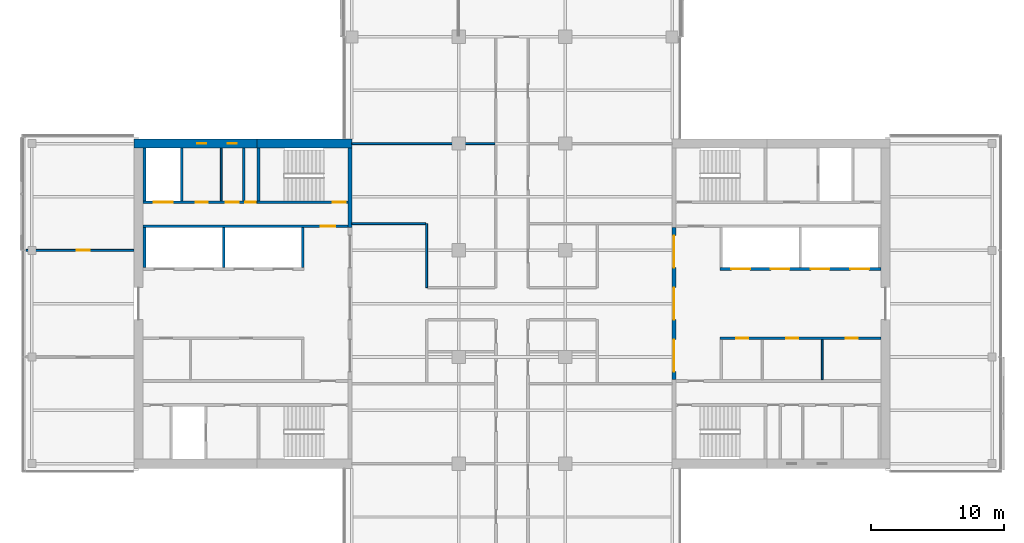
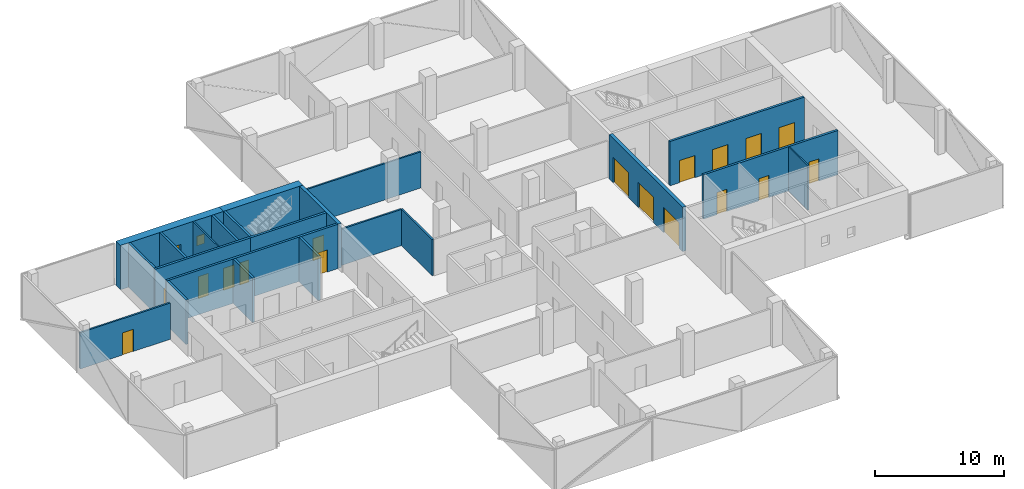
# One storey, part 15 of 22: 22 walls, 17 doors, 2 windows, 19 openings.
"""IFC4 building model written with IfcOpenShell, lengths in metres."""

from ifc_helpers import new_model, si_unit, direction, frame, frame_2d, origin, place, context, subcontext, project, spatial, rectangle, extrude, material, layer, layer_set, constituent, constituent_set, type_object, element, fill, save


model = new_model("IFC4")

# Units and contexts
model_context = context("Model", 3, precision=1e-05, world=origin(), true_north=direction((0.0, 1.0)))
body_context = subcontext(model_context, "Body", "Model", "MODEL_VIEW")
ifc_project = project(units=[si_unit("LENGTHUNIT", "METRE"), si_unit("AREAUNIT", "SQUARE_METRE"), si_unit("VOLUMEUNIT", "CUBIC_METRE"), si_unit("PLANEANGLEUNIT", "RADIAN"), si_unit("MASSUNIT", "GRAM", prefix="KILO")], contexts=[model_context])

# Site, building, storey
site_placement = place(None, origin())
site = spatial("IfcSite", under=ifc_project, at=site_placement, CompositionType="ELEMENT")
building_placement = place(site_placement, origin())
building = spatial("IfcBuilding", under=site, at=building_placement, Name="Crosswind Convention Tower", CompositionType="ELEMENT")
storey_placement = place(building_placement, frame((0.0, 0.0, 154.699951171875)))
storey = spatial("IfcBuildingStorey", under=building, at=storey_placement, Name="L32", CompositionType="ELEMENT", Elevation=154.699951171875)

# Wall
ifc_material_1 = material(Name="Concrete blockwork", Category="masonry")
ifc_layer_1 = layer(ifc_material_1, 0.199951171875)
ifc_layer_set_1 = layer_set([ifc_layer_1], Name="Blockwork partition wall 200")
wall_type_1 = type_object("IfcWallType", Name="Blockwork partition wall 200", PredefinedType="PARTITIONING", material=ifc_layer_set_1)
wall_1_placement = place(storey_placement, frame((104.89990234375, 111.64990234375, 0.0), z_axis=(0.0, 0.0, 1.0), x_axis=(0.0, -1.0, 0.0)))
element("IfcWall", 1, at=wall_1_placement, inside=storey, type_object=wall_type_1, Name="Wall MRSE W L32", PredefinedType="PARTITIONING", context=body_context, shape_type="SweptSolid", body=[
    extrude(rectangle(XDim=3.949951171875, YDim=0.199951171875, at=frame_2d((1.97509765625, 0.0))), origin(), (0.0, 0.0, 1.0), 4.199951171875),
])

# Wall, openings, doors
ifc_material_2 = material(Name="Concrete C50/60", Category="concrete")
ifc_layer_2 = layer(ifc_material_2, 0.300048828125)
ifc_layer_set_2 = layer_set([ifc_layer_2], Name="Concrete C50/60")
wall_type_2 = type_object("IfcWallType", Name="Concrete inner core wall 300", PredefinedType="SHEAR", material=ifc_layer_set_2)
wall_2_placement = place(storey_placement, frame((137.14990234375, 94.300048828125, 0.0), z_axis=(0.0, 0.0, 1.0), x_axis=(0.0, 1.0, 0.0)))
wall_2 = element("IfcWall", 2, at=wall_2_placement, inside=storey, type_object=wall_type_2, Name="Wall SCR E L32", PredefinedType="SHEAR", context=body_context, shape_type="SweptSolid", body=[
    extrude(rectangle(XDim=11.39990234375, YDim=0.300048828125, at=frame_2d((5.699951171875, 0.0))), origin(), (0.0, 0.0, 1.0), 4.199951171875),
])
opening_1_placement = place(wall_2_placement, frame((0.60009765625, 0.0, 0.0)))
opening_1 = element("IfcOpeningElement", 3, at=opening_1_placement, cuts=wall_2, Name="Opening D100", PredefinedType="OPENING", context=body_context, shape_type="SweptSolid", body=[
    extrude(rectangle(XDim=2.39990234375, YDim=2.39990234375, at=frame_2d((1.199951171875, 1.199951171875))), frame((0.0, 0.159912109375, 0.0), z_axis=(0.0, -1.0, 0.0), x_axis=(1.0, 0.0, 0.0)), (0.0, 0.0, 1.0), 0.320068359375),
])
opening_2_placement = place(wall_2_placement, frame((4.5, 0.0, 0.0)))
opening_2 = element("IfcOpeningElement", 4, at=opening_2_placement, cuts=wall_2, Name="Opening D100", PredefinedType="OPENING", context=body_context, shape_type="SweptSolid", body=[
    extrude(rectangle(XDim=2.39990234375, YDim=2.39990234375, at=frame_2d((1.199951171875, 1.199951171875))), frame((0.0, 0.159912109375, 0.0), z_axis=(0.0, -1.0, 0.0), x_axis=(1.0, 0.0, 0.0)), (0.0, 0.0, 1.0), 0.320068359375),
])
opening_3_placement = place(wall_2_placement, frame((8.39990234375, 0.0, 0.0)))
opening_3 = element("IfcOpeningElement", 5, at=opening_3_placement, cuts=wall_2, Name="Opening D100", PredefinedType="OPENING", context=body_context, shape_type="SweptSolid", body=[
    extrude(rectangle(XDim=2.39990234375, YDim=2.39990234375, at=frame_2d((1.199951171875, 1.199951171875))), frame((0.0, 0.159912109375, 0.0), z_axis=(0.0, -1.0, 0.0), x_axis=(1.0, 0.0, 0.0)), (0.0, 0.0, 1.0), 0.320068359375),
])
ifc_material_3 = material(Name="Steel fire door with glazed vision panels", Category="steel")
door_type_1 = type_object("IfcDoorType", Name="Fire-rated double door 2400x2400", OperationType="DOUBLE_DOOR_SINGLE_SWING", PredefinedType="DOOR", material=ifc_material_3)
door_1_placement = place(opening_1_placement, origin())
door_1 = element("IfcDoor", 6, at=door_1_placement, inside=storey, type_object=door_type_1, Name="Lobby door 1 L32", ObjectType="D100", OperationType="DOUBLE_DOOR_SINGLE_SWING", OverallHeight=2.39990234375, OverallWidth=2.39990234375, PredefinedType="DOOR", context=body_context, shape_type="SweptSolid", body=[
    extrude(rectangle(XDim=2.39990234375, YDim=2.39990234375, at=frame_2d((1.199951171875, 1.199951171875))), frame((0.0, 0.02490234375, 0.0), z_axis=(0.0, -1.0, 0.0), x_axis=(1.0, 0.0, 0.0)), (0.0, 0.0, 1.0), 0.050048828125),
])
fill(opening_1, door_1)
door_2_placement = place(opening_2_placement, origin())
door_2 = element("IfcDoor", 7, at=door_2_placement, inside=storey, type_object=door_type_1, Name="Lobby door 2 L32", ObjectType="D100", OperationType="DOUBLE_DOOR_SINGLE_SWING", OverallHeight=2.39990234375, OverallWidth=2.39990234375, PredefinedType="DOOR", context=body_context, shape_type="SweptSolid", body=[
    extrude(rectangle(XDim=2.39990234375, YDim=2.39990234375, at=frame_2d((1.199951171875, 1.199951171875))), frame((0.0, 0.02490234375, 0.0), z_axis=(0.0, -1.0, 0.0), x_axis=(1.0, 0.0, 0.0)), (0.0, 0.0, 1.0), 0.050048828125),
])
fill(opening_2, door_2)
door_3_placement = place(opening_3_placement, origin())
door_3 = element("IfcDoor", 8, at=door_3_placement, inside=storey, type_object=door_type_1, Name="Lobby door 3 L32", ObjectType="D100", OperationType="DOUBLE_DOOR_SINGLE_SWING", OverallHeight=2.39990234375, OverallWidth=2.39990234375, PredefinedType="DOOR", context=body_context, shape_type="SweptSolid", body=[
    extrude(rectangle(XDim=2.39990234375, YDim=2.39990234375, at=frame_2d((1.199951171875, 1.199951171875))), frame((0.0, 0.02490234375, 0.0), z_axis=(0.0, -1.0, 0.0), x_axis=(1.0, 0.0, 0.0)), (0.0, 0.0, 1.0), 0.050048828125),
])
fill(opening_3, door_3)

# Wall
wall_3_placement = place(storey_placement, frame((112.85009765625, 111.64990234375, 0.0), z_axis=(0.0, 0.0, 1.0), x_axis=(0.0, -1.0, 0.0)))
element("IfcWall", 9, at=wall_3_placement, inside=storey, type_object=wall_type_2, Name="Wall EM W L32", PredefinedType="SHEAR", context=body_context, shape_type="SweptSolid", body=[
    extrude(rectangle(XDim=5.949951171875, YDim=0.300048828125, at=frame_2d((2.97509765625, 0.0))), origin(), (0.0, 0.0, 1.0), 4.199951171875),
])

# Wall, openings, doors
ifc_layer_3 = layer(ifc_material_2, 0.199951171875)
ifc_layer_set_3 = layer_set([ifc_layer_3], Name="Concrete C50/60")
wall_type_3 = type_object("IfcWallType", Name="Concrete shaft and stair wall 200", PredefinedType="SHEAR", material=ifc_layer_set_3)
wall_4_placement = place(storey_placement, frame((140.60009765625, 102.60009765625, 0.0), z_axis=(0.0, 0.0, 1.0), x_axis=(1.0, 0.0, 0.0)))
wall_4 = element("IfcWall", 10, at=wall_4_placement, inside=storey, type_object=wall_type_3, Name="Wall RPFRONT E L32", PredefinedType="SHEAR", context=body_context, shape_type="SweptSolid", body=[
    extrude(rectangle(XDim=12.0498046875, YDim=0.199951171875, at=frame_2d((6.02490234375, 0.0))), origin(), (0.0, 0.0, 1.0), 4.199951171875),
])
opening_4_placement = place(wall_4_placement, frame((0.85009765625, 0.0, 0.0)))
opening_4 = element("IfcOpeningElement", 11, at=opening_4_placement, cuts=wall_4, Name="Opening LD2", PredefinedType="OPENING", context=body_context, shape_type="SweptSolid", body=[
    extrude(rectangle(XDim=1.39990234375, YDim=2.10009765625, at=frame_2d((0.699951171875, 1.050048828125))), frame((0.0, 0.10986328125, 0.0), z_axis=(0.0, -1.0, 0.0), x_axis=(1.0, 0.0, 0.0)), (0.0, 0.0, 1.0), 0.219970703125),
])
opening_5_placement = place(wall_4_placement, frame((3.800048828125, 0.0, 0.0)))
opening_5 = element("IfcOpeningElement", 12, at=opening_5_placement, cuts=wall_4, Name="Opening LD2", PredefinedType="OPENING", context=body_context, shape_type="SweptSolid", body=[
    extrude(rectangle(XDim=1.39990234375, YDim=2.10009765625, at=frame_2d((0.699951171875, 1.050048828125))), frame((0.0, 0.10986328125, 0.0), z_axis=(0.0, -1.0, 0.0), x_axis=(1.0, 0.0, 0.0)), (0.0, 0.0, 1.0), 0.219970703125),
])
opening_6_placement = place(wall_4_placement, frame((6.800048828125, 0.0, 0.0)))
opening_6 = element("IfcOpeningElement", 13, at=opening_6_placement, cuts=wall_4, Name="Opening LD2", PredefinedType="OPENING", context=body_context, shape_type="SweptSolid", body=[
    extrude(rectangle(XDim=1.39990234375, YDim=2.10009765625, at=frame_2d((0.699951171875, 1.050048828125))), frame((0.0, 0.10986328125, 0.0), z_axis=(0.0, -1.0, 0.0), x_axis=(1.0, 0.0, 0.0)), (0.0, 0.0, 1.0), 0.219970703125),
])
opening_7_placement = place(wall_4_placement, frame((9.77490234375, 0.0, 0.0)))
opening_7 = element("IfcOpeningElement", 14, at=opening_7_placement, cuts=wall_4, Name="Opening LD2", PredefinedType="OPENING", context=body_context, shape_type="SweptSolid", body=[
    extrude(rectangle(XDim=1.39990234375, YDim=2.10009765625, at=frame_2d((0.699951171875, 1.050048828125))), frame((0.0, 0.10986328125, 0.0), z_axis=(0.0, -1.0, 0.0), x_axis=(1.0, 0.0, 0.0)), (0.0, 0.0, 1.0), 0.219970703125),
])
ifc_material_4 = material(Name="Stainless steel", Category="steel")
door_type_2 = type_object("IfcDoorType", Name="Lift landing door 1400x2100", OperationType="DOUBLE_DOOR_SLIDING", PredefinedType="DOOR", material=ifc_material_4)
door_4_placement = place(opening_4_placement, origin())
door_4 = element("IfcDoor", 15, at=door_4_placement, inside=storey, type_object=door_type_2, Name="Landing door A1 L32", ObjectType="LD2", OperationType="DOUBLE_DOOR_SLIDING", OverallHeight=2.10009765625, OverallWidth=1.39990234375, PredefinedType="DOOR", context=body_context, shape_type="SweptSolid", body=[
    extrude(rectangle(XDim=1.39990234375, YDim=2.10009765625, at=frame_2d((0.699951171875, 1.050048828125))), frame((0.0, 0.02490234375, 0.0), z_axis=(0.0, -1.0, 0.0), x_axis=(1.0, 0.0, 0.0)), (0.0, 0.0, 1.0), 0.050048828125),
])
fill(opening_4, door_4)
door_5_placement = place(opening_5_placement, origin())
door_5 = element("IfcDoor", 16, at=door_5_placement, inside=storey, type_object=door_type_2, Name="Landing door A2 L32", ObjectType="LD2", OperationType="DOUBLE_DOOR_SLIDING", OverallHeight=2.10009765625, OverallWidth=1.39990234375, PredefinedType="DOOR", context=body_context, shape_type="SweptSolid", body=[
    extrude(rectangle(XDim=1.39990234375, YDim=2.10009765625, at=frame_2d((0.699951171875, 1.050048828125))), frame((0.0, 0.02490234375, 0.0), z_axis=(0.0, -1.0, 0.0), x_axis=(1.0, 0.0, 0.0)), (0.0, 0.0, 1.0), 0.050048828125),
])
fill(opening_5, door_5)
door_6_placement = place(opening_6_placement, origin())
door_6 = element("IfcDoor", 17, at=door_6_placement, inside=storey, type_object=door_type_2, Name="Landing door A3 L32", ObjectType="LD2", OperationType="DOUBLE_DOOR_SLIDING", OverallHeight=2.10009765625, OverallWidth=1.39990234375, PredefinedType="DOOR", context=body_context, shape_type="SweptSolid", body=[
    extrude(rectangle(XDim=1.39990234375, YDim=2.10009765625, at=frame_2d((0.699951171875, 1.050048828125))), frame((0.0, 0.02490234375, 0.0), z_axis=(0.0, -1.0, 0.0), x_axis=(1.0, 0.0, 0.0)), (0.0, 0.0, 1.0), 0.050048828125),
])
fill(opening_6, door_6)
door_7_placement = place(opening_7_placement, origin())
door_7 = element("IfcDoor", 18, at=door_7_placement, inside=storey, type_object=door_type_2, Name="Landing door A4 L32", ObjectType="LD2", OperationType="DOUBLE_DOOR_SLIDING", OverallHeight=2.10009765625, OverallWidth=1.39990234375, PredefinedType="DOOR", context=body_context, shape_type="SweptSolid", body=[
    extrude(rectangle(XDim=1.39990234375, YDim=2.10009765625, at=frame_2d((0.699951171875, 1.050048828125))), frame((0.0, 0.02490234375, 0.0), z_axis=(0.0, -1.0, 0.0), x_axis=(1.0, 0.0, 0.0)), (0.0, 0.0, 1.0), 0.050048828125),
])
fill(opening_7, door_7)

wall_5_placement = place(storey_placement, frame((140.60009765625, 97.39990234375, 0.0), z_axis=(0.0, 0.0, 1.0), x_axis=(1.0, 0.0, 0.0)))
wall_5 = element("IfcWall", 19, at=wall_5_placement, inside=storey, type_object=wall_type_3, Name="Wall RMFRONT E L32", PredefinedType="SHEAR", context=body_context, shape_type="SweptSolid", body=[
    extrude(rectangle(XDim=12.0498046875, YDim=0.199951171875, at=frame_2d((6.02490234375, 0.0))), origin(), (0.0, 0.0, 1.0), 4.199951171875),
])
opening_8_placement = place(wall_5_placement, frame((1.199951171875, 0.0, 0.0)))
opening_8 = element("IfcOpeningElement", 20, at=opening_8_placement, cuts=wall_5, Name="Opening D106", PredefinedType="OPENING", context=body_context, shape_type="SweptSolid", body=[
    extrude(rectangle(XDim=0.89990234375, YDim=2.10009765625, at=frame_2d((0.449951171875, 1.050048828125))), frame((0.0, 0.10986328125, 0.0), z_axis=(0.0, -1.0, 0.0), x_axis=(1.0, 0.0, 0.0)), (0.0, 0.0, 1.0), 0.219970703125),
])
opening_9_placement = place(wall_5_placement, frame((4.964111328125, 0.0, 0.0)))
opening_9 = element("IfcOpeningElement", 21, at=opening_9_placement, cuts=wall_5, Name="Opening D106", PredefinedType="OPENING", context=body_context, shape_type="SweptSolid", body=[
    extrude(rectangle(XDim=0.89990234375, YDim=2.10009765625, at=frame_2d((0.449951171875, 1.050048828125))), frame((0.0, 0.10986328125, 0.0), z_axis=(0.0, -1.0, 0.0), x_axis=(1.0, 0.0, 0.0)), (0.0, 0.0, 1.0), 0.219970703125),
])
opening_10_placement = place(wall_5_placement, frame((9.43896484375, 0.0, 0.0)))
opening_10 = element("IfcOpeningElement", 22, at=opening_10_placement, cuts=wall_5, Name="Opening D106", PredefinedType="OPENING", context=body_context, shape_type="SweptSolid", body=[
    extrude(rectangle(XDim=0.89990234375, YDim=2.10009765625, at=frame_2d((0.449951171875, 1.050048828125))), frame((0.0, 0.10986328125, 0.0), z_axis=(0.0, -1.0, 0.0), x_axis=(1.0, 0.0, 0.0)), (0.0, 0.0, 1.0), 0.219970703125),
])
ifc_material_5 = material(Name="Timber door", Category="wood")
door_type_3 = type_object("IfcDoorType", Name="Single leaf door 900x2100", OperationType="NOTDEFINED", PredefinedType="DOOR", material=ifc_material_5)
door_8_placement = place(opening_8_placement, frame((0.89990234375, 0.0, 0.0), z_axis=(0.0, 0.0, 1.0), x_axis=(-1.0, 0.0, 0.0)))
door_8 = element("IfcDoor", 23, at=door_8_placement, inside=storey, type_object=door_type_3, Name="Door to copy and print room L32", ObjectType="D106", OperationType="SINGLE_SWING_LEFT", OverallHeight=2.10009765625, OverallWidth=0.89990234375, PredefinedType="DOOR", context=body_context, shape_type="SweptSolid", body=[
    extrude(rectangle(XDim=0.89990234375, YDim=2.10009765625, at=frame_2d((0.449951171875, 1.050048828125))), frame((0.0, 0.02490234375, 0.0), z_axis=(0.0, -1.0, 0.0), x_axis=(1.0, 0.0, 0.0)), (0.0, 0.0, 1.0), 0.050048828125),
])
fill(opening_8, door_8)
door_9_placement = place(opening_9_placement, frame((0.89990234375, 0.0, 0.0), z_axis=(0.0, 0.0, 1.0), x_axis=(-1.0, 0.0, 0.0)))
door_9 = element("IfcDoor", 24, at=door_9_placement, inside=storey, type_object=door_type_3, Name="Door to meeting room L32", ObjectType="D106", OperationType="SINGLE_SWING_LEFT", OverallHeight=2.10009765625, OverallWidth=0.89990234375, PredefinedType="DOOR", context=body_context, shape_type="SweptSolid", body=[
    extrude(rectangle(XDim=0.89990234375, YDim=2.10009765625, at=frame_2d((0.449951171875, 1.050048828125))), frame((0.0, 0.02490234375, 0.0), z_axis=(0.0, -1.0, 0.0), x_axis=(1.0, 0.0, 0.0)), (0.0, 0.0, 1.0), 0.050048828125),
])
fill(opening_9, door_9)
door_10_placement = place(opening_10_placement, frame((0.89990234375, 0.0, 0.0), z_axis=(0.0, 0.0, 1.0), x_axis=(-1.0, 0.0, 0.0)))
door_10 = element("IfcDoor", 25, at=door_10_placement, inside=storey, type_object=door_type_3, Name="Door to pantry L32", ObjectType="D106", OperationType="SINGLE_SWING_LEFT", OverallHeight=2.10009765625, OverallWidth=0.89990234375, PredefinedType="DOOR", context=body_context, shape_type="SweptSolid", body=[
    extrude(rectangle(XDim=0.89990234375, YDim=2.10009765625, at=frame_2d((0.449951171875, 1.050048828125))), frame((0.0, 0.02490234375, 0.0), z_axis=(0.0, -1.0, 0.0), x_axis=(1.0, 0.0, 0.0)), (0.0, 0.0, 1.0), 0.050048828125),
])
fill(opening_10, door_10)

# Walls
for number, where, z_axis, x_axis, name in (
    (26, (109.300048828125, 105.699951171875, 0.0), (0.0, 0.0, 1.0), (0.0, -1.0, 0.0), "Wall RMEND W L32"),
    (27, (103.39990234375, 105.699951171875, 0.0), (0.0, 0.0, 1.0), (0.0, -1.0, 0.0), "Wall RMSEP W L32"),
    (28, (97.449951171875, 105.699951171875, 0.0), (0.0, 0.0, 1.0), (0.0, -1.0, 0.0), "Wall RMEAST W L32"),
):
    element("IfcWall", number, at=place(storey_placement, frame(where, z_axis=z_axis, x_axis=x_axis)), inside=storey, type_object=wall_type_3, Name=name, PredefinedType="SHEAR", context=body_context, shape_type="SweptSolid", body=[
        extrude(rectangle(XDim=3.0, YDim=0.199951171875, at=frame_2d((1.5, 0.0))), origin(), (0.0, 0.0, 1.0), 4.199951171875),
    ])

# Wall, opening, door
wall_6_placement = place(storey_placement, frame((112.699951171875, 105.800048828125, 0.0), z_axis=(0.0, 0.0, 1.0), x_axis=(-1.0, 0.0, 0.0)))
wall_6 = element("IfcWall", 29, at=wall_6_placement, inside=storey, type_object=wall_type_3, Name="Wall HM W L32", PredefinedType="SHEAR", context=body_context, shape_type="SweptSolid", body=[
    extrude(rectangle(XDim=15.349853515625, YDim=0.199951171875, at=frame_2d((7.6748046875, 0.0))), origin(), (0.0, 0.0, 1.0), 4.199951171875),
])
opening_11_placement = place(wall_6_placement, frame((0.949951171875, 0.0, 0.0)))
opening_11 = element("IfcOpeningElement", 30, at=opening_11_placement, cuts=wall_6, Name="Opening D104", PredefinedType="OPENING", context=body_context, shape_type="SweptSolid", body=[
    extrude(rectangle(XDim=1.10009765625, YDim=2.10009765625, at=frame_2d((0.550048828125, 1.050048828125))), frame((0.0, 0.10986328125, 0.0), z_axis=(0.0, -1.0, 0.0), x_axis=(1.0, 0.0, 0.0)), (0.0, 0.0, 1.0), 0.219970703125),
])
ifc_material_6 = material(Name="Steel fire door", Category="steel")
door_type_4 = type_object("IfcDoorType", Name="Fire-rated single door 1100x2100", OperationType="NOTDEFINED", PredefinedType="DOOR", material=ifc_material_6)
door_11_placement = place(opening_11_placement, origin())
door_11 = element("IfcDoor", 31, at=door_11_placement, inside=storey, type_object=door_type_4, Name="Corridor door L32", ObjectType="D104", OperationType="SINGLE_SWING_LEFT", OverallHeight=2.10009765625, OverallWidth=1.10009765625, PredefinedType="DOOR", context=body_context, shape_type="SweptSolid", body=[
    extrude(rectangle(XDim=1.10009765625, YDim=2.10009765625, at=frame_2d((0.550048828125, 1.050048828125))), frame((0.0, 0.02490234375, 0.0), z_axis=(0.0, -1.0, 0.0), x_axis=(1.0, 0.0, 0.0)), (0.0, 0.0, 1.0), 0.050048828125),
])
fill(opening_11, door_11)

# Walls
for number, where, z_axis, x_axis, name in (
    (32, (106.0, 111.64990234375, 0.0), (0.0, 0.0, 1.0), (0.0, -1.0, 0.0), "Wall MSE W L32"),
    (33, (100.25, 111.64990234375, 0.0), (0.0, 0.0, 1.0), (0.0, -1.0, 0.0), "Wall MFSW W L32"),
    (34, (97.449951171875, 111.64990234375, 0.0), (0.0, 0.0, 1.0), (0.0, -1.0, 0.0), "Wall MFSE W L32"),
):
    element("IfcWall", number, at=place(storey_placement, frame(where, z_axis=z_axis, x_axis=x_axis)), inside=storey, type_object=wall_type_3, Name=name, PredefinedType="SHEAR", context=body_context, shape_type="SweptSolid", body=[
        extrude(rectangle(XDim=3.949951171875, YDim=0.199951171875, at=frame_2d((1.97509765625, 0.0))), origin(), (0.0, 0.0, 1.0), 4.199951171875),
    ])

# Wall, opening, door
wall_7_placement = place(storey_placement, frame((112.699951171875, 107.60009765625, 0.0), z_axis=(0.0, 0.0, 1.0), x_axis=(-1.0, 0.0, 0.0)))
wall_7 = element("IfcWall", 35, at=wall_7_placement, inside=storey, type_object=wall_type_3, Name="Wall MCW W L32", PredefinedType="SHEAR", context=body_context, shape_type="SweptSolid", body=[
    extrude(rectangle(XDim=6.800048828125, YDim=0.199951171875, at=frame_2d((3.39990234375, 0.0))), origin(), (0.0, 0.0, 1.0), 4.199951171875),
])
opening_12_placement = place(wall_7_placement, frame((0.14990234375, 0.0, 0.0)))
opening_12 = element("IfcOpeningElement", 36, at=opening_12_placement, cuts=wall_7, Name="Opening D103", PredefinedType="OPENING", context=body_context, shape_type="SweptSolid", body=[
    extrude(rectangle(XDim=1.0, YDim=2.10009765625, at=frame_2d((0.5, 1.050048828125))), frame((0.0, 0.10986328125, 0.0), z_axis=(0.0, -1.0, 0.0), x_axis=(1.0, 0.0, 0.0)), (0.0, 0.0, 1.0), 0.219970703125),
])
door_type_5 = type_object("IfcDoorType", Name="Fire-rated single door 1000x2100", OperationType="NOTDEFINED", PredefinedType="DOOR", material=ifc_material_6)
door_12_placement = place(opening_12_placement, frame((1.0, 0.0, 0.0), z_axis=(0.0, 0.0, 1.0), x_axis=(-1.0, 0.0, 0.0)))
door_12 = element("IfcDoor", 37, at=door_12_placement, inside=storey, type_object=door_type_5, Name="Stair ST4 door L32", ObjectType="D103", OperationType="SINGLE_SWING_RIGHT", OverallHeight=2.10009765625, OverallWidth=1.0, PredefinedType="DOOR", context=body_context, shape_type="SweptSolid", body=[
    extrude(rectangle(XDim=1.0, YDim=2.10009765625, at=frame_2d((0.5, 1.050048828125))), frame((0.0, 0.02490234375, 0.0), z_axis=(0.0, -1.0, 0.0), x_axis=(1.0, 0.0, 0.0)), (0.0, 0.0, 1.0), 0.050048828125),
])
fill(opening_12, door_12)

# Wall, openings, doors
wall_8_placement = place(storey_placement, frame((105.89990234375, 107.60009765625, 0.0), z_axis=(0.0, 0.0, 1.0), x_axis=(-1.0, 0.0, 0.0)))
wall_8 = element("IfcWall", 38, at=wall_8_placement, inside=storey, type_object=wall_type_3, Name="Wall MCX W L32", PredefinedType="SHEAR", context=body_context, shape_type="SweptSolid", body=[
    extrude(rectangle(XDim=8.5498046875, YDim=0.199951171875, at=frame_2d((4.27490234375, 0.0))), origin(), (0.0, 0.0, 1.0), 4.199951171875),
])
opening_13_placement = place(wall_8_placement, frame((0.10009765625, 0.0, 0.0)))
opening_13 = element("IfcOpeningElement", 39, at=opening_13_placement, cuts=wall_8, Name="Opening D105", PredefinedType="OPENING", context=body_context, shape_type="SweptSolid", body=[
    extrude(rectangle(XDim=0.800048828125, YDim=2.10009765625, at=frame_2d((0.39990234375, 1.050048828125))), frame((0.0, 0.10986328125, 0.0), z_axis=(0.0, -1.0, 0.0), x_axis=(1.0, 0.0, 0.0)), (0.0, 0.0, 1.0), 0.219970703125),
])
opening_14_placement = place(wall_8_placement, frame((1.36962890625, 0.0, 0.0)))
opening_14 = element("IfcOpeningElement", 40, at=opening_14_placement, cuts=wall_8, Name="Opening D103", PredefinedType="OPENING", context=body_context, shape_type="SweptSolid", body=[
    extrude(rectangle(XDim=1.0, YDim=2.10009765625, at=frame_2d((0.5, 1.050048828125))), frame((0.0, 0.10986328125, 0.0), z_axis=(0.0, -1.0, 0.0), x_axis=(1.0, 0.0, 0.0)), (0.0, 0.0, 1.0), 0.219970703125),
])
opening_15_placement = place(wall_8_placement, frame((3.707275390625, 0.0, 0.0)))
opening_15 = element("IfcOpeningElement", 41, at=opening_15_placement, cuts=wall_8, Name="Opening D106", PredefinedType="OPENING", context=body_context, shape_type="SweptSolid", body=[
    extrude(rectangle(XDim=0.89990234375, YDim=2.10009765625, at=frame_2d((0.449951171875, 1.050048828125))), frame((0.0, 0.10986328125, 0.0), z_axis=(0.0, -1.0, 0.0), x_axis=(1.0, 0.0, 0.0)), (0.0, 0.0, 1.0), 0.219970703125),
])
opening_16_placement = place(wall_8_placement, frame((6.35009765625, 0.0, 0.0)))
opening_16 = element("IfcOpeningElement", 42, at=opening_16_placement, cuts=wall_8, Name="Opening LD2", PredefinedType="OPENING", context=body_context, shape_type="SweptSolid", body=[
    extrude(rectangle(XDim=1.39990234375, YDim=2.10009765625, at=frame_2d((0.699951171875, 1.050048828125))), frame((0.0, 0.10986328125, 0.0), z_axis=(0.0, -1.0, 0.0), x_axis=(1.0, 0.0, 0.0)), (0.0, 0.0, 1.0), 0.219970703125),
])
door_13_placement = place(opening_14_placement, frame((1.0, 0.0, 0.0), z_axis=(0.0, 0.0, 1.0), x_axis=(-1.0, 0.0, 0.0)))
door_13 = element("IfcDoor", 43, at=door_13_placement, inside=storey, type_object=door_type_5, Name="Door to accessible wc L32", ObjectType="D103", OperationType="SINGLE_SWING_LEFT", OverallHeight=2.10009765625, OverallWidth=1.0, PredefinedType="DOOR", context=body_context, shape_type="SweptSolid", body=[
    extrude(rectangle(XDim=1.0, YDim=2.10009765625, at=frame_2d((0.5, 1.050048828125))), frame((0.0, 0.02490234375, 0.0), z_axis=(0.0, -1.0, 0.0), x_axis=(1.0, 0.0, 0.0)), (0.0, 0.0, 1.0), 0.050048828125),
])
fill(opening_14, door_13)
door_14_placement = place(opening_16_placement, origin())
door_14 = element("IfcDoor", 44, at=door_14_placement, inside=storey, type_object=door_type_2, Name="Landing door SV2 L32", ObjectType="LD2", OperationType="DOUBLE_DOOR_SLIDING", OverallHeight=2.10009765625, OverallWidth=1.39990234375, PredefinedType="DOOR", context=body_context, shape_type="SweptSolid", body=[
    extrude(rectangle(XDim=1.39990234375, YDim=2.10009765625, at=frame_2d((0.699951171875, 1.050048828125))), frame((0.0, 0.02490234375, 0.0), z_axis=(0.0, -1.0, 0.0), x_axis=(1.0, 0.0, 0.0)), (0.0, 0.0, 1.0), 0.050048828125),
])
fill(opening_16, door_14)
door_type_6 = type_object("IfcDoorType", Name="Riser access door 800x2100", OperationType="NOTDEFINED", PredefinedType="DOOR", material=ifc_material_6)
door_15_placement = place(opening_13_placement, frame((0.800048828125, 0.0, 0.0), z_axis=(0.0, 0.0, 1.0), x_axis=(-1.0, 0.0, 0.0)))
door_15 = element("IfcDoor", 45, at=door_15_placement, inside=storey, type_object=door_type_6, Name="Riser door L32", ObjectType="D105", OperationType="SINGLE_SWING_LEFT", OverallHeight=2.10009765625, OverallWidth=0.800048828125, PredefinedType="DOOR", context=body_context, shape_type="SweptSolid", body=[
    extrude(rectangle(XDim=0.800048828125, YDim=2.10009765625, at=frame_2d((0.39990234375, 1.050048828125))), frame((0.0, 0.02490234375, 0.0), z_axis=(0.0, -1.0, 0.0), x_axis=(1.0, 0.0, 0.0)), (0.0, 0.0, 1.0), 0.050048828125),
])
fill(opening_13, door_15)
door_16_placement = place(opening_15_placement, frame((0.89990234375, 0.0, 0.0), z_axis=(0.0, 0.0, 1.0), x_axis=(-1.0, 0.0, 0.0)))
door_16 = element("IfcDoor", 46, at=door_16_placement, inside=storey, type_object=door_type_3, Name="Door to wc L32", ObjectType="D106", OperationType="SINGLE_SWING_LEFT", OverallHeight=2.10009765625, OverallWidth=0.89990234375, PredefinedType="DOOR", context=body_context, shape_type="SweptSolid", body=[
    extrude(rectangle(XDim=0.89990234375, YDim=2.10009765625, at=frame_2d((0.449951171875, 1.050048828125))), frame((0.0, 0.02490234375, 0.0), z_axis=(0.0, -1.0, 0.0), x_axis=(1.0, 0.0, 0.0)), (0.0, 0.0, 1.0), 0.050048828125),
])
fill(opening_15, door_16)

# Walls
ifc_material_7 = material(Name="Gypsum plasterboard partition", Category="gypsum")
ifc_layer_4 = layer(ifc_material_7, 0.125)
ifc_layer_set_4 = layer_set([ifc_layer_4], Name="Drywall partition wall 125")
wall_type_4 = type_object("IfcWallType", Name="Drywall partition wall 125", PredefinedType="PARTITIONING", material=ifc_layer_set_4)
wall_9_placement = place(storey_placement, frame((148.265380859375, 94.300048828125, 0.0), z_axis=(0.0, 0.0, 1.0), x_axis=(0.0, 1.0, 0.0)))
element("IfcWall", 47, at=wall_9_placement, inside=storey, type_object=wall_type_4, Name="Wall RMP2 E L32", PredefinedType="PARTITIONING", context=body_context, shape_type="SweptSolid", body=[
    extrude(rectangle(XDim=3.0, YDim=0.125, at=frame_2d((1.5, 0.0))), origin(), (0.0, 0.0, 1.0), 4.199951171875),
])
wall_10_placement = place(storey_placement, frame((103.197998046875, 111.64990234375, 0.0), z_axis=(0.0, 0.0, 1.0), x_axis=(0.0, -1.0, 0.0)))
element("IfcWall", 48, at=wall_10_placement, inside=storey, type_object=wall_type_4, Name="Wall MWP1 W L32", PredefinedType="PARTITIONING", context=body_context, shape_type="SweptSolid", body=[
    extrude(rectangle(XDim=3.949951171875, YDim=0.125, at=frame_2d((1.97509765625, 0.0))), origin(), (0.0, 0.0, 1.0), 4.199951171875),
])
ifc_material_8 = material(Name="Fire-board partition with mineral wool", Category="gypsum")
ifc_layer_5 = layer(ifc_material_8, 0.14990234375)
ifc_layer_set_5 = layer_set([ifc_layer_5], Name="TENANCY WALL 150 TWO-HOUR BOARD")
wall_type_5 = type_object("IfcWallType", Name="TENANCY WALL 150 TWO-HOUR BOARD", PredefinedType="PARTITIONING", material=ifc_layer_set_5)
wall_11_placement = place(storey_placement, frame((118.60009765625, 101.199951171875, 0.0), z_axis=(0.0, 0.0, 1.0), x_axis=(0.0, 1.0, 0.0)))
element("IfcWall", 49, at=wall_11_placement, inside=storey, type_object=wall_type_5, Name="Tenancy wall WT41", PredefinedType="PARTITIONING", context=body_context, shape_type="SweptSolid", body=[
    extrude(rectangle(XDim=4.800048828125, YDim=0.14990234375, at=frame_2d((2.39990234375, 0.0))), origin(), (0.0, 0.0, 1.0), 3.4365234375),
])

# Wall, opening, door
wall_12_placement = place(storey_placement, frame((88.580078125, 104.0, 0.0), z_axis=(0.0, 0.0, 1.0), x_axis=(1.0, 0.0, 0.0)))
wall_12 = element("IfcWall", 50, at=wall_12_placement, inside=storey, type_object=wall_type_5, Name="Tenancy wall WT41", PredefinedType="PARTITIONING", context=body_context, shape_type="SweptSolid", body=[
    extrude(rectangle(XDim=8.06982421875, YDim=0.14990234375, at=frame_2d((4.034912109375, 0.0))), origin(), (0.0, 0.0, 1.0), 3.4365234375),
])
opening_17_placement = place(wall_12_placement, frame((3.77001953125, 0.0, 0.0)))
opening_17 = element("IfcOpeningElement", 51, at=opening_17_placement, cuts=wall_12, Name="Opening L32-66", PredefinedType="OPENING", context=body_context, shape_type="SweptSolid", body=[
    extrude(rectangle(XDim=1.0, YDim=2.10009765625, at=frame_2d((0.5, 1.050048828125))), frame((0.0, 0.0849609375, 0.0), z_axis=(0.0, -1.0, 0.0), x_axis=(1.0, 0.0, 0.0)), (0.0, 0.0, 1.0), 0.169921875),
])
ifc_material_9 = material(Name="Timber fire door", Category="wood")
door_type_7 = type_object("IfcDoorType", Name="TENANCY ENTRANCE DOOR 1000X2100 FD30S", OperationType="NOTDEFINED", PredefinedType="DOOR", material=ifc_material_9)
door_17_placement = place(opening_17_placement, origin())
door_17 = element("IfcDoor", 52, at=door_17_placement, inside=storey, type_object=door_type_7, Name="Door L32-66", ObjectType="D41", OperationType="SINGLE_SWING_LEFT", OverallHeight=2.10009765625, OverallWidth=1.0, PredefinedType="DOOR", context=body_context, shape_type="SweptSolid", body=[
    extrude(rectangle(XDim=1.0, YDim=2.10009765625, at=frame_2d((0.5, 1.050048828125))), frame((0.0, 0.02490234375, 0.0), z_axis=(0.0, -1.0, 0.0), x_axis=(1.0, 0.0, 0.0)), (0.0, 0.0, 1.0), 0.050048828125),
])
fill(opening_17, door_17)

# Walls
wall_13_placement = place(storey_placement, frame((113.0, 106.0, 0.0), z_axis=(0.0, 0.0, 1.0), x_axis=(1.0, 0.0, 0.0)))
element("IfcWall", 53, at=wall_13_placement, inside=storey, type_object=wall_type_5, Name="Tenancy wall WT41", PredefinedType="PARTITIONING", context=body_context, shape_type="SweptSolid", body=[
    extrude(rectangle(XDim=5.52490234375, YDim=0.14990234375, at=frame_2d((2.762451171875, 0.0))), origin(), (0.0, 0.0, 1.0), 3.4365234375),
])
wall_14_placement = place(storey_placement, frame((113.0, 112.0, 0.0), z_axis=(0.0, 0.0, 1.0), x_axis=(1.0, 0.0, 0.0)))
element("IfcWall", 54, at=wall_14_placement, inside=storey, type_object=wall_type_5, Name="Tenancy wall WT41", PredefinedType="PARTITIONING", context=body_context, shape_type="SweptSolid", body=[
    extrude(rectangle(XDim=10.72509765625, YDim=0.14990234375, at=frame_2d((5.362548828125, 0.0))), origin(), (0.0, 0.0, 1.0), 3.4365234375),
])
ifc_material_10 = material(Name="Concrete C60/75", Category="concrete")
ifc_constituent_1 = constituent(ifc_material_10, Name="Structure")
ifc_material_11 = material(Name="Terracotta rainscreen", Category="ceramic")
ifc_constituent_2 = constituent(ifc_material_11, Name="Facing")
ifc_constituent_set = constituent_set(constituents=[ifc_constituent_1, ifc_constituent_2], Name="Concrete C60/75, Terracotta rainscreen")
wall_type_6 = type_object("IfcWallType", Name="Terracotta rainscreen on concrete core wall 700", PredefinedType="SHEAR", material=ifc_constituent_set)
wall_15_placement = place(storey_placement, frame((113.0, 112.0, 0.0), z_axis=(0.0, 0.0, 1.0), x_axis=(-1.0, 0.0, 0.0)))
element("IfcWall", 55, at=wall_15_placement, inside=storey, type_object=wall_type_6, Name="Wall S1 W L32", PredefinedType="SHEAR", context=body_context, shape_type="SweptSolid", body=[
    extrude(rectangle(XDim=7.10009765625, YDim=0.699951171875, at=frame_2d((3.550048828125, 0.0))), origin(), (0.0, 0.0, 1.0), 4.199951171875),
])

# Wall, openings, windows
wall_16_placement = place(storey_placement, frame((105.89990234375, 112.0, 0.0), z_axis=(0.0, 0.0, 1.0), x_axis=(-1.0, 0.0, 0.0)))
wall_16 = element("IfcWall", 56, at=wall_16_placement, inside=storey, type_object=wall_type_6, Name="Wall S2 W L32", PredefinedType="SHEAR", context=body_context, shape_type="SweptSolid", body=[
    extrude(rectangle(XDim=9.25, YDim=0.699951171875, at=frame_2d((4.625, 0.0))), origin(), (0.0, 0.0, 1.0), 4.199951171875),
])
opening_18_placement = place(wall_16_placement, frame((1.519775390625, 0.0, 1.5)))
opening_18 = element("IfcOpeningElement", 57, at=opening_18_placement, cuts=wall_16, Name="Opening W2", PredefinedType="OPENING", context=body_context, shape_type="SweptSolid", body=[
    extrude(rectangle(XDim=0.699951171875, YDim=0.89990234375, at=frame_2d((0.35009765625, 0.449951171875))), frame((0.0, 0.35986328125, 0.0), z_axis=(0.0, -1.0, 0.0), x_axis=(1.0, 0.0, 0.0)), (0.0, 0.0, 1.0), 0.719970703125),
])
opening_19_placement = place(wall_16_placement, frame((3.80712890625, 0.0, 1.5)))
opening_19 = element("IfcOpeningElement", 58, at=opening_19_placement, cuts=wall_16, Name="Opening W2", PredefinedType="OPENING", context=body_context, shape_type="SweptSolid", body=[
    extrude(rectangle(XDim=0.699951171875, YDim=0.89990234375, at=frame_2d((0.35009765625, 0.449951171875))), frame((0.0, 0.35986328125, 0.0), z_axis=(0.0, -1.0, 0.0), x_axis=(1.0, 0.0, 0.0)), (0.0, 0.0, 1.0), 0.719970703125),
])
ifc_material_12 = material(Name="Obscure glass in aluminium frame", Category="aluminium")
window_type = type_object("IfcWindowType", Name="WC window 700x900", PartitioningType="SINGLE_PANEL", PredefinedType="WINDOW", material=ifc_material_12)
window_1_placement = place(opening_18_placement, origin())
window_1 = element("IfcWindow", 59, at=window_1_placement, inside=storey, type_object=window_type, Name="WC window L32", ObjectType="W2", OverallHeight=0.89990234375, OverallWidth=0.699951171875, PartitioningType="SINGLE_PANEL", PredefinedType="WINDOW", context=body_context, shape_type="SweptSolid", body=[
    extrude(rectangle(XDim=0.699951171875, YDim=0.89990234375, at=frame_2d((0.35009765625, 0.449951171875))), frame((0.0, 0.030029296875, 0.0), z_axis=(0.0, -1.0, 0.0), x_axis=(1.0, 0.0, 0.0)), (0.0, 0.0, 1.0), 0.06005859375),
])
fill(opening_18, window_1)
window_2_placement = place(opening_19_placement, origin())
window_2 = element("IfcWindow", 60, at=window_2_placement, inside=storey, type_object=window_type, Name="WC window L32", ObjectType="W2", OverallHeight=0.89990234375, OverallWidth=0.699951171875, PartitioningType="SINGLE_PANEL", PredefinedType="WINDOW", context=body_context, shape_type="SweptSolid", body=[
    extrude(rectangle(XDim=0.699951171875, YDim=0.89990234375, at=frame_2d((0.35009765625, 0.449951171875))), frame((0.0, 0.030029296875, 0.0), z_axis=(0.0, -1.0, 0.0), x_axis=(1.0, 0.0, 0.0)), (0.0, 0.0, 1.0), 0.06005859375),
])
fill(opening_19, window_2)

save(model, "model.ifc")
